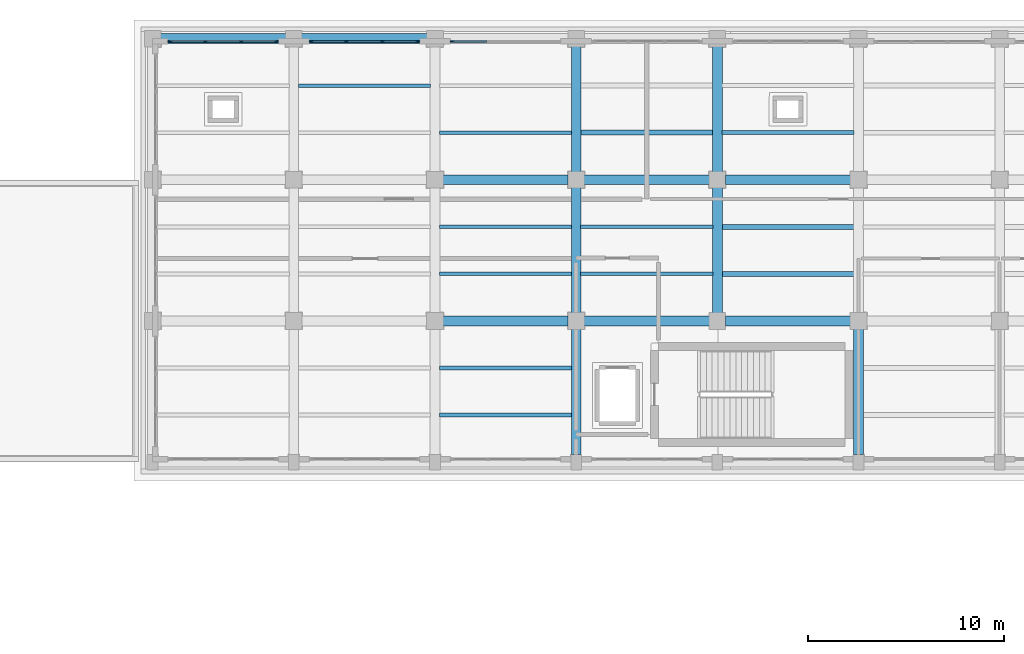
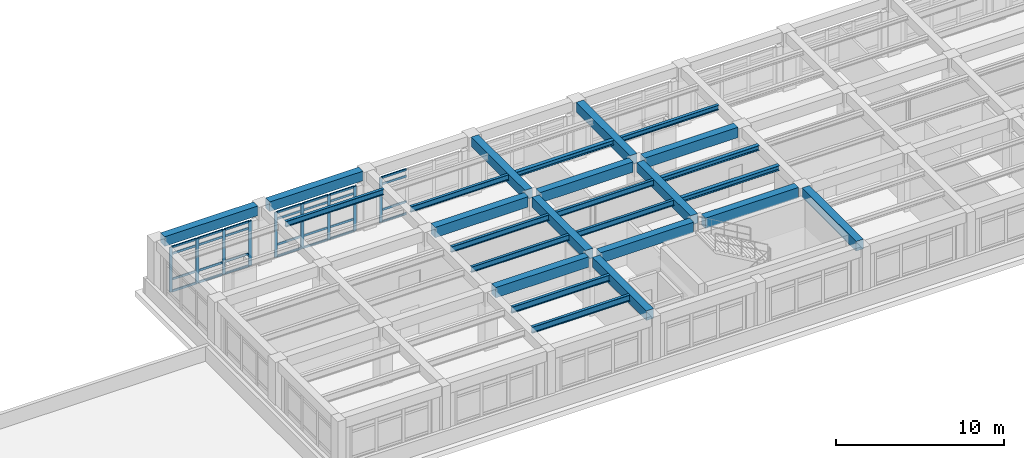
# One storey, part 25 of 69: 37 members, 26 beams, 3 elements without a shape of their own.
"""IFC4 building model written with IfcOpenShell, lengths in metres."""

from ifc_helpers import new_model, si_unit, direction, frame, origin, origin_2d, place, context, subcontext, project, spatial, rectangle, i_section, extrude, material, layer, layer_set, material_profile, profile_set, type_object, element, aggregate, save


model = new_model("IFC4")

# Units and contexts
model_context = context("Model", 3, precision=1e-05, world=origin(), true_north=direction((0.0, 1.0)))
body_context = subcontext(model_context, "Body", "Model", "MODEL_VIEW")
ifc_project = project(units=[si_unit("LENGTHUNIT", "METRE"), si_unit("AREAUNIT", "SQUARE_METRE"), si_unit("VOLUMEUNIT", "CUBIC_METRE"), si_unit("PLANEANGLEUNIT", "RADIAN"), si_unit("MASSUNIT", "GRAM", prefix="KILO")], contexts=[model_context])

# Site, building, storey
site_placement = place(None, origin())
site = spatial("IfcSite", under=ifc_project, at=site_placement, CompositionType="ELEMENT")
building_placement = place(site_placement, origin())
building = spatial("IfcBuilding", under=site, at=building_placement, Name="Solenvale Faculty of Natural Sciences", CompositionType="ELEMENT")
storey_placement = place(building_placement, frame((0.0, 0.0, 4.5)))
storey = spatial("IfcBuildingStorey", under=building, at=storey_placement, Name="L01", CompositionType="ELEMENT", Elevation=4.5)

# Beams
ifc_material_1 = material(Name="Concrete 40 MPa", Category="concrete")
ifc_material_profile_1 = material_profile(ifc_material_1, rectangle(XDim=0.5, YDim=0.699951171875, at=origin_2d()), Name="RC-BM-500x700")
ifc_profile_set_1 = profile_set([ifc_material_profile_1], Name="Concrete 40 MPa")
beam_type_1 = type_object("IfcBeamType", Name="BM-RC-500x700", PredefinedType="BEAM", material=ifc_profile_set_1)
beam_1_placement = place(storey_placement, frame((100.800048828125, 93.97998046875, 3.8701171875), z_axis=(0.0, 1.0, 0.0), x_axis=(-1.0, 0.0, 0.0)))
element("IfcBeam", 1, at=beam_1_placement, inside=storey, type_object=beam_type_1, Name="L01 Y-Girder X100.8 (93.6..100.8)", PredefinedType="BEAM", context=body_context, shape_type="SweptSolid", body=[
    extrude(rectangle(XDim=0.5, YDim=0.699951171875, at=origin_2d()), origin(), (0.0, 0.0, 1.0), 6.4150390625),
])
for number, where, z_axis, x_axis, name in (
    (2, (100.800048828125, 101.205078125, 3.8701171875), (0.0, 1.0, 0.0), (-1.0, 0.0, 0.0), "L01 Y-Girder X100.8 (100.8..108.0)"),
    (3, (100.800048828125, 108.405029296875, 3.8701171875), (0.0, 1.0, 0.0), (-1.0, 0.0, 0.0), "L01 Y-Girder X100.8 (108.0..115.2)"),
    (4, (108.0, 101.205078125, 3.8701171875), (0.0, 1.0, 0.0), (-1.0, 0.0, 0.0), "L01 Y-Girder X108.0 (100.8..108.0)"),
    (5, (108.0, 108.405029296875, 3.8701171875), (0.0, 1.0, 0.0), (-1.0, 0.0, 0.0), "L01 Y-Girder X108.0 (108.0..115.2)"),
):
    element("IfcBeam", number, at=place(storey_placement, frame(where, z_axis=z_axis, x_axis=x_axis)), inside=storey, type_object=beam_type_1, Name=name, PredefinedType="BEAM", context=body_context, shape_type="SweptSolid", body=[
        extrude(rectangle(XDim=0.5, YDim=0.699951171875, at=origin_2d()), origin(), (0.0, 0.0, 1.0), 6.389892578125),
    ])
beam_2_placement = place(storey_placement, frame((115.199951171875, 93.97998046875, 3.8701171875), z_axis=(0.0, 1.0, 0.0), x_axis=(-1.0, 0.0, 0.0)))
element("IfcBeam", 6, at=beam_2_placement, inside=storey, type_object=beam_type_1, Name="L01 Y-Girder X115.2 (93.6..100.8)", PredefinedType="BEAM", context=body_context, shape_type="SweptSolid", body=[
    extrude(rectangle(XDim=0.5, YDim=0.699951171875, at=origin_2d()), origin(), (0.0, 0.0, 1.0), 6.4150390625),
])
ifc_material_profile_2 = material_profile(ifc_material_1, rectangle(XDim=0.5, YDim=0.75, at=origin_2d()), Name="RC-BM-500x750")
ifc_profile_set_2 = profile_set([ifc_material_profile_2], Name="Concrete 40 MPa")
beam_type_2 = type_object("IfcBeamType", Name="BM-RC-500x750", PredefinedType="BEAM", material=ifc_profile_set_2)
beam_3_placement = place(storey_placement, frame((94.0048828125, 100.800048828125, 3.844970703125), z_axis=(1.0, 0.0, 0.0), x_axis=(0.0, 1.0, 0.0)))
element("IfcBeam", 7, at=beam_3_placement, inside=storey, type_object=beam_type_2, Name="L01 X-Girder Y100.8 (93.6..100.8)", PredefinedType="BEAM", context=body_context, shape_type="SweptSolid", body=[
    extrude(rectangle(XDim=0.5, YDim=0.75, at=origin_2d()), origin(), (0.0, 0.0, 1.0), 6.39013671875),
])
for number, where, z_axis, x_axis, name in (
    (8, (101.205078125, 100.800048828125, 3.844970703125), (1.0, 0.0, 0.0), (0.0, 1.0, 0.0), "L01 X-Girder Y100.8 (100.8..108.0)"),
    (9, (108.405029296875, 100.800048828125, 3.844970703125), (1.0, 0.0, 0.0), (0.0, 1.0, 0.0), "L01 X-Girder Y100.8 (108.0..115.2)"),
):
    element("IfcBeam", number, at=place(storey_placement, frame(where, z_axis=z_axis, x_axis=x_axis)), inside=storey, type_object=beam_type_2, Name=name, PredefinedType="BEAM", context=body_context, shape_type="SweptSolid", body=[
        extrude(rectangle(XDim=0.5, YDim=0.75, at=origin_2d()), origin(), (0.0, 0.0, 1.0), 6.389892578125),
    ])
beam_4_placement = place(storey_placement, frame((94.0048828125, 108.0, 3.844970703125), z_axis=(1.0, 0.0, 0.0), x_axis=(0.0, 1.0, 0.0)))
element("IfcBeam", 10, at=beam_4_placement, inside=storey, type_object=beam_type_2, Name="L01 X-Girder Y108.0 (93.6..100.8)", PredefinedType="BEAM", context=body_context, shape_type="SweptSolid", body=[
    extrude(rectangle(XDim=0.5, YDim=0.75, at=origin_2d()), origin(), (0.0, 0.0, 1.0), 6.39013671875),
])
for number, where, z_axis, x_axis, name in (
    (11, (101.205078125, 108.0, 3.844970703125), (1.0, 0.0, 0.0), (0.0, 1.0, 0.0), "L01 X-Girder Y108.0 (100.8..108.0)"),
    (12, (108.405029296875, 108.0, 3.844970703125), (1.0, 0.0, 0.0), (0.0, 1.0, 0.0), "L01 X-Girder Y108.0 (108.0..115.2)"),
):
    element("IfcBeam", number, at=place(storey_placement, frame(where, z_axis=z_axis, x_axis=x_axis)), inside=storey, type_object=beam_type_2, Name=name, PredefinedType="BEAM", context=body_context, shape_type="SweptSolid", body=[
        extrude(rectangle(XDim=0.5, YDim=0.75, at=origin_2d()), origin(), (0.0, 0.0, 1.0), 6.389892578125),
    ])
ifc_material_2 = material(Name="Precast concrete 40 MPa", Category="concrete")
ifc_material_profile_3 = material_profile(ifc_material_2, rectangle(XDim=0.5, YDim=0.699951171875, at=origin_2d()), Name="RC-BM-500x700")
ifc_profile_set_3 = profile_set([ifc_material_profile_3], Name="Precast concrete 40 MPa")
beam_type_3 = type_object("IfcBeamType", Name="BM-SPN-PRC-700", PredefinedType="SPANDREL", material=ifc_profile_set_3)
for number, where, z_axis, x_axis, name in (
    (13, (79.60498046875, 115.199951171875, 3.8701171875), (1.0, 0.0, 0.0), (0.0, 1.0, 0.0), "L01 X-Girder Y115.2 (79.2..86.4)"),
    (14, (86.804931640625, 115.199951171875, 3.8701171875), (1.0, 0.0, 0.0), (0.0, 1.0, 0.0), "L01 X-Girder Y115.2 (86.4..93.6)"),
):
    element("IfcBeam", number, at=place(storey_placement, frame(where, z_axis=z_axis, x_axis=x_axis)), inside=storey, type_object=beam_type_3, Name=name, PredefinedType="SPANDREL", context=body_context, shape_type="SweptSolid", body=[
        extrude(rectangle(XDim=0.5, YDim=0.699951171875, at=origin_2d()), origin(), (0.0, 0.0, 1.0), 6.39013671875),
    ])
ifc_material_3 = material(Name="Steel S355", Category="steel")
ifc_material_profile_4 = material_profile(ifc_material_3, i_section(OverallWidth=0.2548828125, OverallDepth=0.35693359375, WebThickness=0.010498046875, FlangeThickness=0.018310546875, FilletRadius=0.014892578125, at=origin_2d()), Name="W360x101")
ifc_profile_set_4 = profile_set([ifc_material_profile_4], Name="Steel S355")
beam_type_4 = type_object("IfcBeamType", Name="BM-STL-W360x101", PredefinedType="JOIST", material=ifc_profile_set_4)
for number, where, z_axis, x_axis, name in (
    (15, (101.030029296875, 110.39990234375, 4.04150390625), (1.0, 0.0, 0.0), (0.0, 1.0, 0.0), "L01 Composite Floor Joist (15,16).1"),
    (16, (108.22998046875, 103.199951171875, 4.04150390625), (1.0, 0.0, 0.0), (0.0, 1.0, 0.0), "L01 Composite Floor Joist (16,15).1"),
    (17, (108.22998046875, 105.60009765625, 4.04150390625), (1.0, 0.0, 0.0), (0.0, 1.0, 0.0), "L01 Composite Floor Joist (16,15).2"),
):
    element("IfcBeam", number, at=place(storey_placement, frame(where, z_axis=z_axis, x_axis=x_axis)), inside=storey, type_object=beam_type_4, Name=name, PredefinedType="JOIST", context=body_context, shape_type="SweptSolid", body=[
        extrude(i_section(OverallWidth=0.2548828125, OverallDepth=0.35693359375, WebThickness=0.010498046875, FlangeThickness=0.018310546875, FilletRadius=0.014892578125, at=origin_2d()), origin(), (0.0, 0.0, 1.0), 6.739990234375),
    ])
ifc_material_profile_5 = material_profile(ifc_material_3, i_section(OverallWidth=0.2041015625, OverallDepth=0.35009765625, WebThickness=0.008544921875, FlangeThickness=0.01513671875, FilletRadius=0.014892578125, at=origin_2d()), Name="W360x72")
ifc_profile_set_5 = profile_set([ifc_material_profile_5], Name="Steel S355")
beam_type_5 = type_object("IfcBeamType", Name="BM-STL-W360x72", PredefinedType="JOIST", material=ifc_profile_set_5)
beam_5_placement = place(storey_placement, frame((108.22998046875, 110.39990234375, 4.044921875), z_axis=(1.0, 0.0, 0.0), x_axis=(0.0, 1.0, 0.0)))
element("IfcBeam", 18, at=beam_5_placement, inside=storey, type_object=beam_type_5, Name="L01 Composite Floor Joist (16,16).1", PredefinedType="JOIST", context=body_context, shape_type="SweptSolid", body=[
    extrude(i_section(OverallWidth=0.2041015625, OverallDepth=0.35009765625, WebThickness=0.008544921875, FlangeThickness=0.01513671875, FilletRadius=0.014892578125, at=origin_2d()), origin(), (0.0, 0.0, 1.0), 6.739990234375),
])
ifc_material_profile_6 = material_profile(ifc_material_3, i_section(OverallWidth=0.178955078125, OverallDepth=0.409912109375, WebThickness=0.0087890625, FlangeThickness=0.014404296875, FilletRadius=0.01611328125, at=origin_2d()), Name="W410x67")
ifc_profile_set_6 = profile_set([ifc_material_profile_6], Name="Steel S355")
beam_type_6 = type_object("IfcBeamType", Name="BM-STL-W410x67", PredefinedType="JOIST", material=ifc_profile_set_6)
for number, where, z_axis, x_axis, name in (
    (19, (93.830078125, 110.39990234375, 4.014892578125), (1.0, 0.0, 0.0), (0.0, 1.0, 0.0), "L01 Composite Floor Joist (14,16).1"),
    (20, (101.030029296875, 103.199951171875, 4.014892578125), (1.0, 0.0, 0.0), (0.0, 1.0, 0.0), "L01 Composite Floor Joist (15,15).1"),
    (21, (101.030029296875, 105.60009765625, 4.014892578125), (1.0, 0.0, 0.0), (0.0, 1.0, 0.0), "L01 Composite Floor Joist (15,15).2"),
):
    element("IfcBeam", number, at=place(storey_placement, frame(where, z_axis=z_axis, x_axis=x_axis)), inside=storey, type_object=beam_type_6, Name=name, PredefinedType="JOIST", context=body_context, shape_type="SweptSolid", body=[
        extrude(i_section(OverallWidth=0.178955078125, OverallDepth=0.409912109375, WebThickness=0.0087890625, FlangeThickness=0.014404296875, FilletRadius=0.01611328125, at=origin_2d()), origin(), (0.0, 0.0, 1.0), 6.739990234375),
    ])
ifc_material_profile_7 = material_profile(ifc_material_3, i_section(OverallWidth=0.180908203125, OverallDepth=0.4169921875, WebThickness=0.010986328125, FlangeThickness=0.018310546875, FilletRadius=0.01611328125, at=origin_2d()), Name="W410x85")
ifc_profile_set_7 = profile_set([ifc_material_profile_7], Name="Steel S355")
beam_type_7 = type_object("IfcBeamType", Name="BM-STL-W410x85", PredefinedType="JOIST", material=ifc_profile_set_7)
beam_6_placement = place(storey_placement, frame((86.6298828125, 112.800048828125, 4.011474609375), z_axis=(1.0, 0.0, 0.0), x_axis=(0.0, 1.0, 0.0)))
element("IfcBeam", 22, at=beam_6_placement, inside=storey, type_object=beam_type_7, Name="L01 Composite Floor Joist (13,16).2", PredefinedType="JOIST", context=body_context, shape_type="SweptSolid", body=[
    extrude(i_section(OverallWidth=0.180908203125, OverallDepth=0.4169921875, WebThickness=0.010986328125, FlangeThickness=0.018310546875, FilletRadius=0.01611328125, at=origin_2d()), origin(), (0.0, 0.0, 1.0), 6.740234375),
])
for number, where, z_axis, x_axis, name in (
    (23, (93.830078125, 103.199951171875, 4.011474609375), (1.0, 0.0, 0.0), (0.0, 1.0, 0.0), "L01 Composite Floor Joist (14,15).1"),
    (24, (93.830078125, 105.60009765625, 4.011474609375), (1.0, 0.0, 0.0), (0.0, 1.0, 0.0), "L01 Composite Floor Joist (14,15).2"),
):
    element("IfcBeam", number, at=place(storey_placement, frame(where, z_axis=z_axis, x_axis=x_axis)), inside=storey, type_object=beam_type_7, Name=name, PredefinedType="JOIST", context=body_context, shape_type="SweptSolid", body=[
        extrude(i_section(OverallWidth=0.180908203125, OverallDepth=0.4169921875, WebThickness=0.010986328125, FlangeThickness=0.018310546875, FilletRadius=0.01611328125, at=origin_2d()), origin(), (0.0, 0.0, 1.0), 6.739990234375),
    ])
ifc_material_profile_8 = material_profile(ifc_material_3, i_section(OverallWidth=0.19091796875, OverallDepth=0.4599609375, WebThickness=0.010009765625, FlangeThickness=0.01611328125, FilletRadius=0.01806640625, at=origin_2d()), Name="W460x82")
ifc_profile_set_8 = profile_set([ifc_material_profile_8], Name="Steel S355")
beam_type_8 = type_object("IfcBeamType", Name="BM-STL-W460x82", PredefinedType="JOIST", material=ifc_profile_set_8)
for number, where, z_axis, x_axis, name in (
    (25, (93.830078125, 96.0, 3.989990234375), (1.0, 0.0, 0.0), (0.0, 1.0, 0.0), "L01 Composite Floor Joist (14,14).1"),
    (26, (93.830078125, 98.39990234375, 3.989990234375), (1.0, 0.0, 0.0), (0.0, 1.0, 0.0), "L01 Composite Floor Joist (14,14).2"),
):
    element("IfcBeam", number, at=place(storey_placement, frame(where, z_axis=z_axis, x_axis=x_axis)), inside=storey, type_object=beam_type_8, Name=name, PredefinedType="JOIST", context=body_context, shape_type="SweptSolid", body=[
        extrude(i_section(OverallWidth=0.19091796875, OverallDepth=0.4599609375, WebThickness=0.010009765625, FlangeThickness=0.01611328125, FilletRadius=0.01806640625, at=origin_2d()), origin(), (0.0, 0.0, 1.0), 6.739990234375),
    ])

# Curtain wall, member
ifc_material_4 = material(Name="Anodised bronze aluminium", Category="aluminium")
ifc_layer = layer(ifc_material_4, 0.179931640625)
ifc_layer_set = layer_set([ifc_layer], Name="Anodised bronze aluminium")
curtain_wall_type = type_object("IfcCurtainWallType", Name="CW-TWR-MOD", PredefinedType="USERDEFINED", material=ifc_layer_set)
curtain_wall_1_placement = place(storey_placement, origin())
curtain_wall_1 = element("IfcCurtainWall", 27, at=curtain_wall_1_placement, inside=storey, type_object=curtain_wall_type, Name="L01 Curtain Wall CW-L01-P2-E4-B8", ObjectType="UNITISED CURTAIN WALL", PredefinedType="USERDEFINED")
ifc_material_profile_9 = material_profile(ifc_material_4, rectangle(XDim=0.074951171875, YDim=0.2099609375, at=origin_2d()), Name="ALU-MUL-75x210")
ifc_profile_set_9 = profile_set([ifc_material_profile_9], Name="Anodised bronze aluminium")
member_type_1 = type_object("IfcMemberType", Name="CWM-ALU-75x210", PredefinedType="MULLION", material=ifc_profile_set_9)
member_1_placement = place(storey_placement, frame((94.487548828125, 115.0576171875, 0.0), z_axis=(0.0, 0.0, 1.0), x_axis=(0.0, -1.0, 0.0)))
member_1 = element("IfcMember", 28, at=member_1_placement, type_object=member_type_1, Name="CW-04 mullion 4", PredefinedType="MULLION", context=body_context, shape_type="SweptSolid", body=[
    extrude(rectangle(XDim=0.074951171875, YDim=0.2099609375, at=origin_2d()), origin(), (0.0, 0.0, 1.0), 3.260009765625),
])

# Curtain wall, members
curtain_wall_2_placement = place(storey_placement, origin())
curtain_wall_2 = element("IfcCurtainWall", 29, at=curtain_wall_2_placement, inside=storey, type_object=curtain_wall_type, Name="L01 Curtain Wall CW-L01-P2-E4-B9", ObjectType="UNITISED CURTAIN WALL", PredefinedType="USERDEFINED")
member_2_placement = place(storey_placement, frame((92.71240234375, 115.0576171875, 0.0), z_axis=(0.0, 0.0, 1.0), x_axis=(0.0, -1.0, 0.0)))
member_2 = element("IfcMember", 30, at=member_2_placement, type_object=member_type_1, Name="CW-04 mullion 1", PredefinedType="MULLION", context=body_context, shape_type="SweptSolid", body=[
    extrude(rectangle(XDim=0.074951171875, YDim=0.2099609375, at=origin_2d()), origin(), (0.0, 0.0, 1.0), 3.260009765625),
])
member_3_placement = place(storey_placement, frame((90.916748046875, 115.0576171875, 0.0), z_axis=(0.0, 0.0, 1.0), x_axis=(0.0, -1.0, 0.0)))
member_3 = element("IfcMember", 31, at=member_3_placement, type_object=member_type_1, Name="CW-04 mullion 2", PredefinedType="MULLION", context=body_context, shape_type="SweptSolid", body=[
    extrude(rectangle(XDim=0.074951171875, YDim=0.2099609375, at=origin_2d()), origin(), (0.0, 0.0, 1.0), 3.260009765625),
])
member_4_placement = place(storey_placement, frame((89.083251953125, 115.0576171875, 0.0), z_axis=(0.0, 0.0, 1.0), x_axis=(0.0, -1.0, 0.0)))
member_4 = element("IfcMember", 32, at=member_4_placement, type_object=member_type_1, Name="CW-04 mullion 3", PredefinedType="MULLION", context=body_context, shape_type="SweptSolid", body=[
    extrude(rectangle(XDim=0.074951171875, YDim=0.2099609375, at=origin_2d()), origin(), (0.0, 0.0, 1.0), 3.260009765625),
])
member_5_placement = place(storey_placement, frame((87.28759765625, 115.0576171875, 0.0), z_axis=(0.0, 0.0, 1.0), x_axis=(0.0, -1.0, 0.0)))
member_5 = element("IfcMember", 33, at=member_5_placement, type_object=member_type_1, Name="CW-04 mullion 4", PredefinedType="MULLION", context=body_context, shape_type="SweptSolid", body=[
    extrude(rectangle(XDim=0.074951171875, YDim=0.2099609375, at=origin_2d()), origin(), (0.0, 0.0, 1.0), 3.260009765625),
])

curtain_wall_3_placement = place(storey_placement, origin())
curtain_wall_3 = element("IfcCurtainWall", 34, at=curtain_wall_3_placement, inside=storey, type_object=curtain_wall_type, Name="L01 Curtain Wall CW-L01-P2-E4-B10", ObjectType="UNITISED CURTAIN WALL", PredefinedType="USERDEFINED")
member_6_placement = place(storey_placement, frame((85.512451171875, 115.0576171875, 0.0), z_axis=(0.0, 0.0, 1.0), x_axis=(0.0, -1.0, 0.0)))
member_6 = element("IfcMember", 35, at=member_6_placement, type_object=member_type_1, Name="CW-04 mullion 1", PredefinedType="MULLION", context=body_context, shape_type="SweptSolid", body=[
    extrude(rectangle(XDim=0.074951171875, YDim=0.2099609375, at=origin_2d()), origin(), (0.0, 0.0, 1.0), 3.260009765625),
])
member_7_placement = place(storey_placement, frame((83.716552734375, 115.0576171875, 0.0), z_axis=(0.0, 0.0, 1.0), x_axis=(0.0, -1.0, 0.0)))
member_7 = element("IfcMember", 36, at=member_7_placement, type_object=member_type_1, Name="CW-04 mullion 2", PredefinedType="MULLION", context=body_context, shape_type="SweptSolid", body=[
    extrude(rectangle(XDim=0.074951171875, YDim=0.2099609375, at=origin_2d()), origin(), (0.0, 0.0, 1.0), 3.260009765625),
])
member_8_placement = place(storey_placement, frame((81.88330078125, 115.0576171875, 0.0), z_axis=(0.0, 0.0, 1.0), x_axis=(0.0, -1.0, 0.0)))
member_8 = element("IfcMember", 37, at=member_8_placement, type_object=member_type_1, Name="CW-04 mullion 3", PredefinedType="MULLION", context=body_context, shape_type="SweptSolid", body=[
    extrude(rectangle(XDim=0.074951171875, YDim=0.2099609375, at=origin_2d()), origin(), (0.0, 0.0, 1.0), 3.260009765625),
])
member_9_placement = place(storey_placement, frame((80.08740234375, 115.0576171875, 0.0), z_axis=(0.0, 0.0, 1.0), x_axis=(0.0, -1.0, 0.0)))
member_9 = element("IfcMember", 38, at=member_9_placement, type_object=member_type_1, Name="CW-04 mullion 4", PredefinedType="MULLION", context=body_context, shape_type="SweptSolid", body=[
    extrude(rectangle(XDim=0.074951171875, YDim=0.2099609375, at=origin_2d()), origin(), (0.0, 0.0, 1.0), 3.260009765625),
])

# Member
ifc_material_profile_10 = material_profile(ifc_material_4, rectangle(XDim=0.074951171875, YDim=0.155029296875, at=origin_2d()), Name="ALU-TRN-75x155")
ifc_profile_set_10 = profile_set([ifc_material_profile_10], Name="Anodised bronze aluminium")
member_type_2 = type_object("IfcMemberType", Name="CWT-ALU-75x155", PredefinedType="USERDEFINED", material=ifc_profile_set_10)
member_10_placement = place(storey_placement, frame((96.245849609375, 115.0576171875, 0.03759765625), z_axis=(-1.0, 0.0, 0.0), x_axis=(0.0, -1.0, 0.0)))
member_10 = element("IfcMember", 39, at=member_10_placement, type_object=member_type_2, Name="CW-04 transom 3.1", ObjectType="TRANSOM", PredefinedType="USERDEFINED", context=body_context, shape_type="SweptSolid", body=[
    extrude(rectangle(XDim=0.074951171875, YDim=0.155029296875, at=origin_2d()), origin(), (0.0, 0.0, 1.0), 1.720947265625),
])

member_11_placement = place(storey_placement, frame((96.245849609375, 115.0576171875, 0.89990234375), z_axis=(-1.0, 0.0, 0.0), x_axis=(0.0, -1.0, 0.0)))
member_11 = element("IfcMember", 40, at=member_11_placement, type_object=member_type_2, Name="CW-04 transom 3.2", ObjectType="TRANSOM", PredefinedType="USERDEFINED", context=body_context, shape_type="SweptSolid", body=[
    extrude(rectangle(XDim=0.074951171875, YDim=0.155029296875, at=origin_2d()), origin(), (0.0, 0.0, 1.0), 1.720947265625),
])

member_12_placement = place(storey_placement, frame((96.245849609375, 115.0576171875, 2.760009765625), z_axis=(-1.0, 0.0, 0.0), x_axis=(0.0, -1.0, 0.0)))
member_12 = element("IfcMember", 41, at=member_12_placement, type_object=member_type_2, Name="CW-04 transom 3.3", ObjectType="TRANSOM", PredefinedType="USERDEFINED", context=body_context, shape_type="SweptSolid", body=[
    extrude(rectangle(XDim=0.074951171875, YDim=0.155029296875, at=origin_2d()), origin(), (0.0, 0.0, 1.0), 1.720947265625),
])

member_13_placement = place(storey_placement, frame((96.245849609375, 115.0576171875, 3.222412109375), z_axis=(-1.0, 0.0, 0.0), x_axis=(0.0, -1.0, 0.0)))
member_13 = element("IfcMember", 42, at=member_13_placement, type_object=member_type_2, Name="CW-04 transom 3.4", ObjectType="TRANSOM", PredefinedType="USERDEFINED", context=body_context, shape_type="SweptSolid", body=[
    extrude(rectangle(XDim=0.074951171875, YDim=0.155029296875, at=origin_2d()), origin(), (0.0, 0.0, 1.0), 1.720947265625),
])

aggregate(curtain_wall_1, [member_1, member_10, member_11, member_12, member_13])

member_14_placement = place(storey_placement, frame((92.675048828125, 115.0576171875, 0.03759765625), z_axis=(-1.0, 0.0, 0.0), x_axis=(0.0, -1.0, 0.0)))
member_14 = element("IfcMember", 43, at=member_14_placement, type_object=member_type_2, Name="CW-04 transom 1.1", ObjectType="TRANSOM", PredefinedType="USERDEFINED", context=body_context, shape_type="SweptSolid", body=[
    extrude(rectangle(XDim=0.074951171875, YDim=0.155029296875, at=origin_2d()), origin(), (0.0, 0.0, 1.0), 1.720947265625),
])

member_15_placement = place(storey_placement, frame((92.675048828125, 115.0576171875, 0.89990234375), z_axis=(-1.0, 0.0, 0.0), x_axis=(0.0, -1.0, 0.0)))
member_15 = element("IfcMember", 44, at=member_15_placement, type_object=member_type_2, Name="CW-04 transom 1.2", ObjectType="TRANSOM", PredefinedType="USERDEFINED", context=body_context, shape_type="SweptSolid", body=[
    extrude(rectangle(XDim=0.074951171875, YDim=0.155029296875, at=origin_2d()), origin(), (0.0, 0.0, 1.0), 1.720947265625),
])

member_16_placement = place(storey_placement, frame((92.675048828125, 115.0576171875, 2.760009765625), z_axis=(-1.0, 0.0, 0.0), x_axis=(0.0, -1.0, 0.0)))
member_16 = element("IfcMember", 45, at=member_16_placement, type_object=member_type_2, Name="CW-04 transom 1.3", ObjectType="TRANSOM", PredefinedType="USERDEFINED", context=body_context, shape_type="SweptSolid", body=[
    extrude(rectangle(XDim=0.074951171875, YDim=0.155029296875, at=origin_2d()), origin(), (0.0, 0.0, 1.0), 1.720947265625),
])

member_17_placement = place(storey_placement, frame((92.675048828125, 115.0576171875, 3.222412109375), z_axis=(-1.0, 0.0, 0.0), x_axis=(0.0, -1.0, 0.0)))
member_17 = element("IfcMember", 46, at=member_17_placement, type_object=member_type_2, Name="CW-04 transom 1.4", ObjectType="TRANSOM", PredefinedType="USERDEFINED", context=body_context, shape_type="SweptSolid", body=[
    extrude(rectangle(XDim=0.074951171875, YDim=0.155029296875, at=origin_2d()), origin(), (0.0, 0.0, 1.0), 1.720947265625),
])

member_18_placement = place(storey_placement, frame((90.879150390625, 115.0576171875, 0.03759765625), z_axis=(-1.0, 0.0, 0.0), x_axis=(0.0, -1.0, 0.0)))
member_18 = element("IfcMember", 47, at=member_18_placement, type_object=member_type_2, Name="CW-04 transom 2.1", ObjectType="TRANSOM", PredefinedType="USERDEFINED", context=body_context, shape_type="SweptSolid", body=[
    extrude(rectangle(XDim=0.074951171875, YDim=0.155029296875, at=origin_2d()), origin(), (0.0, 0.0, 1.0), 1.75830078125),
])

member_19_placement = place(storey_placement, frame((90.879150390625, 115.0576171875, 0.89990234375), z_axis=(-1.0, 0.0, 0.0), x_axis=(0.0, -1.0, 0.0)))
member_19 = element("IfcMember", 48, at=member_19_placement, type_object=member_type_2, Name="CW-04 transom 2.2", ObjectType="TRANSOM", PredefinedType="USERDEFINED", context=body_context, shape_type="SweptSolid", body=[
    extrude(rectangle(XDim=0.074951171875, YDim=0.155029296875, at=origin_2d()), origin(), (0.0, 0.0, 1.0), 1.75830078125),
])

member_20_placement = place(storey_placement, frame((90.879150390625, 115.0576171875, 2.760009765625), z_axis=(-1.0, 0.0, 0.0), x_axis=(0.0, -1.0, 0.0)))
member_20 = element("IfcMember", 49, at=member_20_placement, type_object=member_type_2, Name="CW-04 transom 2.3", ObjectType="TRANSOM", PredefinedType="USERDEFINED", context=body_context, shape_type="SweptSolid", body=[
    extrude(rectangle(XDim=0.074951171875, YDim=0.155029296875, at=origin_2d()), origin(), (0.0, 0.0, 1.0), 1.75830078125),
])

member_21_placement = place(storey_placement, frame((90.879150390625, 115.0576171875, 3.222412109375), z_axis=(-1.0, 0.0, 0.0), x_axis=(0.0, -1.0, 0.0)))
member_21 = element("IfcMember", 50, at=member_21_placement, type_object=member_type_2, Name="CW-04 transom 2.4", ObjectType="TRANSOM", PredefinedType="USERDEFINED", context=body_context, shape_type="SweptSolid", body=[
    extrude(rectangle(XDim=0.074951171875, YDim=0.155029296875, at=origin_2d()), origin(), (0.0, 0.0, 1.0), 1.75830078125),
])

member_22_placement = place(storey_placement, frame((89.0458984375, 115.0576171875, 0.03759765625), z_axis=(-1.0, 0.0, 0.0), x_axis=(0.0, -1.0, 0.0)))
member_22 = element("IfcMember", 51, at=member_22_placement, type_object=member_type_2, Name="CW-04 transom 3.1", ObjectType="TRANSOM", PredefinedType="USERDEFINED", context=body_context, shape_type="SweptSolid", body=[
    extrude(rectangle(XDim=0.074951171875, YDim=0.155029296875, at=origin_2d()), origin(), (0.0, 0.0, 1.0), 1.720947265625),
])

member_23_placement = place(storey_placement, frame((89.0458984375, 115.0576171875, 0.89990234375), z_axis=(-1.0, 0.0, 0.0), x_axis=(0.0, -1.0, 0.0)))
member_23 = element("IfcMember", 52, at=member_23_placement, type_object=member_type_2, Name="CW-04 transom 3.2", ObjectType="TRANSOM", PredefinedType="USERDEFINED", context=body_context, shape_type="SweptSolid", body=[
    extrude(rectangle(XDim=0.074951171875, YDim=0.155029296875, at=origin_2d()), origin(), (0.0, 0.0, 1.0), 1.720947265625),
])

member_24_placement = place(storey_placement, frame((89.0458984375, 115.0576171875, 2.760009765625), z_axis=(-1.0, 0.0, 0.0), x_axis=(0.0, -1.0, 0.0)))
member_24 = element("IfcMember", 53, at=member_24_placement, type_object=member_type_2, Name="CW-04 transom 3.3", ObjectType="TRANSOM", PredefinedType="USERDEFINED", context=body_context, shape_type="SweptSolid", body=[
    extrude(rectangle(XDim=0.074951171875, YDim=0.155029296875, at=origin_2d()), origin(), (0.0, 0.0, 1.0), 1.720947265625),
])

member_25_placement = place(storey_placement, frame((89.0458984375, 115.0576171875, 3.222412109375), z_axis=(-1.0, 0.0, 0.0), x_axis=(0.0, -1.0, 0.0)))
member_25 = element("IfcMember", 54, at=member_25_placement, type_object=member_type_2, Name="CW-04 transom 3.4", ObjectType="TRANSOM", PredefinedType="USERDEFINED", context=body_context, shape_type="SweptSolid", body=[
    extrude(rectangle(XDim=0.074951171875, YDim=0.155029296875, at=origin_2d()), origin(), (0.0, 0.0, 1.0), 1.720947265625),
])

aggregate(curtain_wall_2, [member_2, member_3, member_4, member_5, member_14, member_15, member_16, member_17, member_18, member_19, member_20, member_21, member_22, member_23, member_24, member_25])

member_26_placement = place(storey_placement, frame((85.47509765625, 115.0576171875, 0.03759765625), z_axis=(-1.0, 0.0, 0.0), x_axis=(0.0, -1.0, 0.0)))
member_26 = element("IfcMember", 55, at=member_26_placement, type_object=member_type_2, Name="CW-04 transom 1.1", ObjectType="TRANSOM", PredefinedType="USERDEFINED", context=body_context, shape_type="SweptSolid", body=[
    extrude(rectangle(XDim=0.074951171875, YDim=0.155029296875, at=origin_2d()), origin(), (0.0, 0.0, 1.0), 1.720947265625),
])

member_27_placement = place(storey_placement, frame((85.47509765625, 115.0576171875, 0.89990234375), z_axis=(-1.0, 0.0, 0.0), x_axis=(0.0, -1.0, 0.0)))
member_27 = element("IfcMember", 56, at=member_27_placement, type_object=member_type_2, Name="CW-04 transom 1.2", ObjectType="TRANSOM", PredefinedType="USERDEFINED", context=body_context, shape_type="SweptSolid", body=[
    extrude(rectangle(XDim=0.074951171875, YDim=0.155029296875, at=origin_2d()), origin(), (0.0, 0.0, 1.0), 1.720947265625),
])

member_28_placement = place(storey_placement, frame((85.47509765625, 115.0576171875, 2.760009765625), z_axis=(-1.0, 0.0, 0.0), x_axis=(0.0, -1.0, 0.0)))
member_28 = element("IfcMember", 57, at=member_28_placement, type_object=member_type_2, Name="CW-04 transom 1.3", ObjectType="TRANSOM", PredefinedType="USERDEFINED", context=body_context, shape_type="SweptSolid", body=[
    extrude(rectangle(XDim=0.074951171875, YDim=0.155029296875, at=origin_2d()), origin(), (0.0, 0.0, 1.0), 1.720947265625),
])

member_29_placement = place(storey_placement, frame((85.47509765625, 115.0576171875, 3.222412109375), z_axis=(-1.0, 0.0, 0.0), x_axis=(0.0, -1.0, 0.0)))
member_29 = element("IfcMember", 58, at=member_29_placement, type_object=member_type_2, Name="CW-04 transom 1.4", ObjectType="TRANSOM", PredefinedType="USERDEFINED", context=body_context, shape_type="SweptSolid", body=[
    extrude(rectangle(XDim=0.074951171875, YDim=0.155029296875, at=origin_2d()), origin(), (0.0, 0.0, 1.0), 1.720947265625),
])

member_30_placement = place(storey_placement, frame((83.67919921875, 115.0576171875, 0.03759765625), z_axis=(-1.0, 0.0, 0.0), x_axis=(0.0, -1.0, 0.0)))
member_30 = element("IfcMember", 59, at=member_30_placement, type_object=member_type_2, Name="CW-04 transom 2.1", ObjectType="TRANSOM", PredefinedType="USERDEFINED", context=body_context, shape_type="SweptSolid", body=[
    extrude(rectangle(XDim=0.074951171875, YDim=0.155029296875, at=origin_2d()), origin(), (0.0, 0.0, 1.0), 1.75830078125),
])

member_31_placement = place(storey_placement, frame((83.67919921875, 115.0576171875, 0.89990234375), z_axis=(-1.0, 0.0, 0.0), x_axis=(0.0, -1.0, 0.0)))
member_31 = element("IfcMember", 60, at=member_31_placement, type_object=member_type_2, Name="CW-04 transom 2.2", ObjectType="TRANSOM", PredefinedType="USERDEFINED", context=body_context, shape_type="SweptSolid", body=[
    extrude(rectangle(XDim=0.074951171875, YDim=0.155029296875, at=origin_2d()), origin(), (0.0, 0.0, 1.0), 1.75830078125),
])

member_32_placement = place(storey_placement, frame((83.67919921875, 115.0576171875, 2.760009765625), z_axis=(-1.0, 0.0, 0.0), x_axis=(0.0, -1.0, 0.0)))
member_32 = element("IfcMember", 61, at=member_32_placement, type_object=member_type_2, Name="CW-04 transom 2.3", ObjectType="TRANSOM", PredefinedType="USERDEFINED", context=body_context, shape_type="SweptSolid", body=[
    extrude(rectangle(XDim=0.074951171875, YDim=0.155029296875, at=origin_2d()), origin(), (0.0, 0.0, 1.0), 1.75830078125),
])

member_33_placement = place(storey_placement, frame((83.67919921875, 115.0576171875, 3.222412109375), z_axis=(-1.0, 0.0, 0.0), x_axis=(0.0, -1.0, 0.0)))
member_33 = element("IfcMember", 62, at=member_33_placement, type_object=member_type_2, Name="CW-04 transom 2.4", ObjectType="TRANSOM", PredefinedType="USERDEFINED", context=body_context, shape_type="SweptSolid", body=[
    extrude(rectangle(XDim=0.074951171875, YDim=0.155029296875, at=origin_2d()), origin(), (0.0, 0.0, 1.0), 1.75830078125),
])

member_34_placement = place(storey_placement, frame((81.845947265625, 115.0576171875, 0.03759765625), z_axis=(-1.0, 0.0, 0.0), x_axis=(0.0, -1.0, 0.0)))
member_34 = element("IfcMember", 63, at=member_34_placement, type_object=member_type_2, Name="CW-04 transom 3.1", ObjectType="TRANSOM", PredefinedType="USERDEFINED", context=body_context, shape_type="SweptSolid", body=[
    extrude(rectangle(XDim=0.074951171875, YDim=0.155029296875, at=origin_2d()), origin(), (0.0, 0.0, 1.0), 1.720947265625),
])

member_35_placement = place(storey_placement, frame((81.845947265625, 115.0576171875, 0.89990234375), z_axis=(-1.0, 0.0, 0.0), x_axis=(0.0, -1.0, 0.0)))
member_35 = element("IfcMember", 64, at=member_35_placement, type_object=member_type_2, Name="CW-04 transom 3.2", ObjectType="TRANSOM", PredefinedType="USERDEFINED", context=body_context, shape_type="SweptSolid", body=[
    extrude(rectangle(XDim=0.074951171875, YDim=0.155029296875, at=origin_2d()), origin(), (0.0, 0.0, 1.0), 1.720947265625),
])

member_36_placement = place(storey_placement, frame((81.845947265625, 115.0576171875, 2.760009765625), z_axis=(-1.0, 0.0, 0.0), x_axis=(0.0, -1.0, 0.0)))
member_36 = element("IfcMember", 65, at=member_36_placement, type_object=member_type_2, Name="CW-04 transom 3.3", ObjectType="TRANSOM", PredefinedType="USERDEFINED", context=body_context, shape_type="SweptSolid", body=[
    extrude(rectangle(XDim=0.074951171875, YDim=0.155029296875, at=origin_2d()), origin(), (0.0, 0.0, 1.0), 1.720947265625),
])

member_37_placement = place(storey_placement, frame((81.845947265625, 115.0576171875, 3.222412109375), z_axis=(-1.0, 0.0, 0.0), x_axis=(0.0, -1.0, 0.0)))
member_37 = element("IfcMember", 66, at=member_37_placement, type_object=member_type_2, Name="CW-04 transom 3.4", ObjectType="TRANSOM", PredefinedType="USERDEFINED", context=body_context, shape_type="SweptSolid", body=[
    extrude(rectangle(XDim=0.074951171875, YDim=0.155029296875, at=origin_2d()), origin(), (0.0, 0.0, 1.0), 1.720947265625),
])

aggregate(curtain_wall_3, [member_6, member_7, member_8, member_9, member_26, member_27, member_28, member_29, member_30, member_31, member_32, member_33, member_34, member_35, member_36, member_37])

save(model, "model.ifc")
